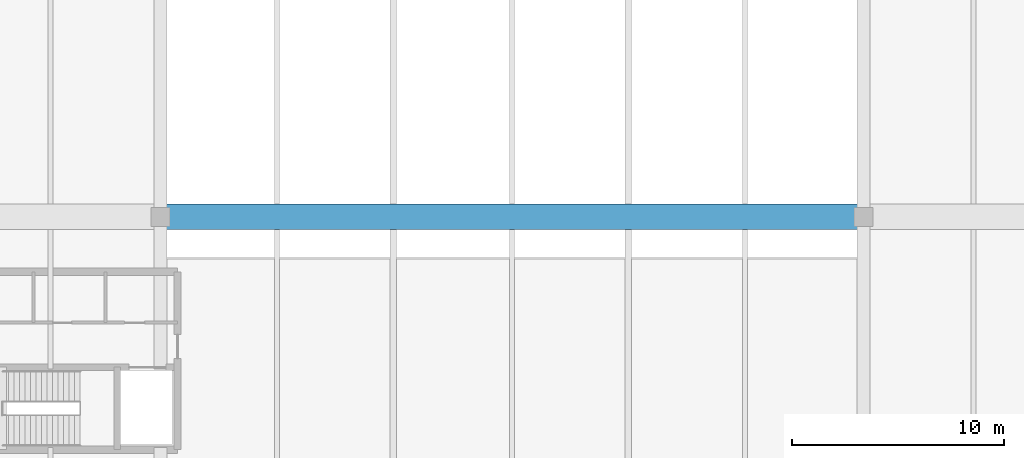
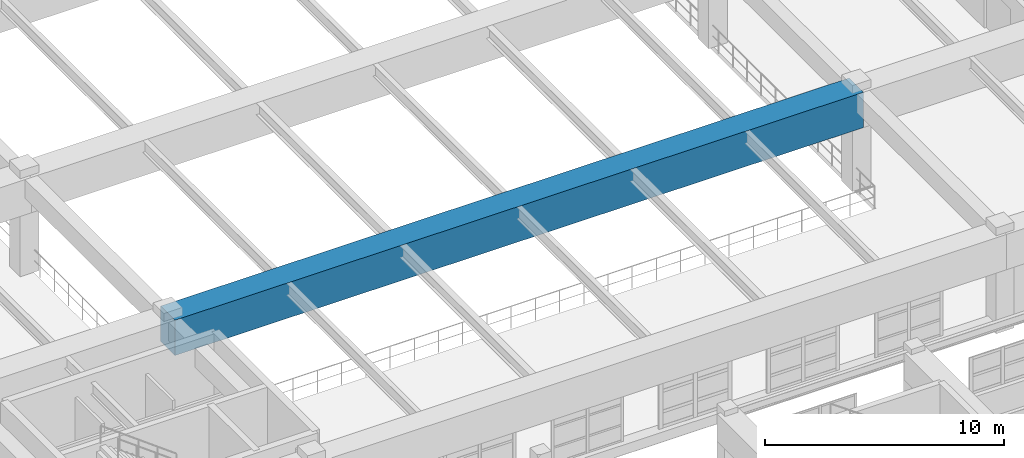
# One storey, part 36 of 197: 1 beam.
"""IFC4 building model written with IfcOpenShell, lengths in metres."""

from ifc_helpers import new_model, si_unit, derived_unit, direction, frame, origin, origin_2d, place, context, subcontext, project, spatial, rectangle, extrude, material, material_profile, profile_set, type_object, element, save


model = new_model("IFC4")

# Units and contexts
model_context = context("Model", 3, precision=1e-05, world=origin(), true_north=direction((0.0, 1.0)))
body_context = subcontext(model_context, "Body", "Model", "MODEL_VIEW")
ifc_project = project(units=[si_unit("LENGTHUNIT", "METRE"), si_unit("AREAUNIT", "SQUARE_METRE"), si_unit("VOLUMEUNIT", "CUBIC_METRE"), si_unit("PLANEANGLEUNIT", "RADIAN"), si_unit("MASSUNIT", "GRAM", prefix="KILO"), derived_unit("THERMALTRANSMITTANCEUNIT", [(si_unit("POWERUNIT", "WATT"), 1), (si_unit("LENGTHUNIT", "METRE"), -2), (si_unit("THERMODYNAMICTEMPERATUREUNIT", "KELVIN"), -1)])], contexts=[model_context])

# Site, building, storey
site_placement = place(None, origin())
site = spatial("IfcSite", under=ifc_project, at=site_placement, CompositionType="ELEMENT")
building_placement = place(site_placement, origin())
building = spatial("IfcBuilding", under=site, at=building_placement, Name="Almenara Railside Exhibition Hall", CompositionType="ELEMENT")
storey_placement = place(building_placement, frame((0.0, 0.0, 5.39990234375)))
storey = spatial("IfcBuildingStorey", under=building, at=storey_placement, Name="L01", CompositionType="ELEMENT", Elevation=5.39990234375)

# Beam
ifc_material = material(Name="Concrete C40/50", Category="concrete")
ifc_material_profile = material_profile(ifc_material, rectangle(XDim=1.199951171875, YDim=1.800048828125, at=origin_2d()), Name="RC 1200x1800")
ifc_profile_set = profile_set([ifc_material_profile], Name="Concrete C40/50")
beam_type = type_object("IfcBeamType", Name="RC Transfer Girder 1200x1800 C40/50", PredefinedType="USERDEFINED", material=ifc_profile_set)
beam_placement = place(storey_placement, frame((22.39990234375, 60.0, 4.09619140625), z_axis=(1.0, 0.0, 0.0), x_axis=(0.0, 1.0, 0.0)))
element("IfcBeam", 1, at=beam_placement, inside=storey, type_object=beam_type, Name="Beam 0560", ObjectType="GIRDER", PredefinedType="USERDEFINED", context=body_context, shape_type="SweptSolid", body=[
    extrude(rectangle(XDim=1.199951171875, YDim=1.800048828125, at=origin_2d()), origin(), (0.0, 0.0, 1.0), 33.2001953125),
])

save(model, "model.ifc")
